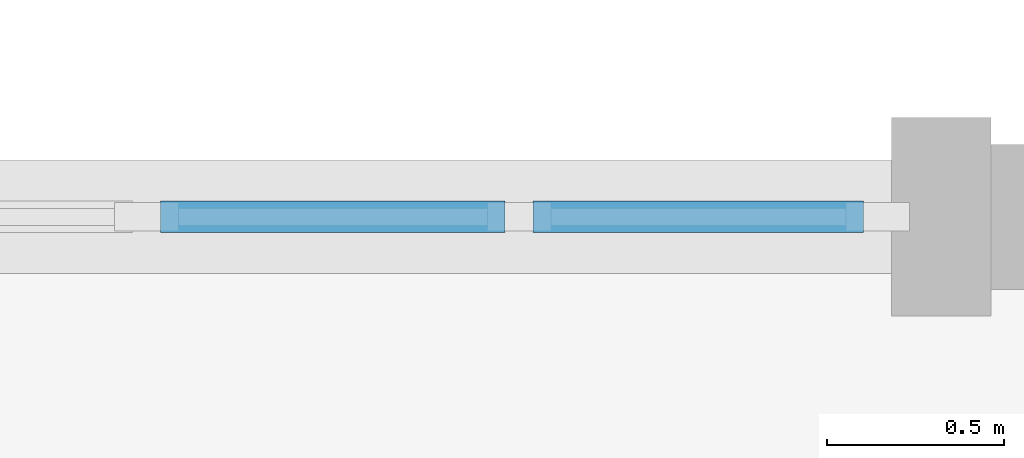
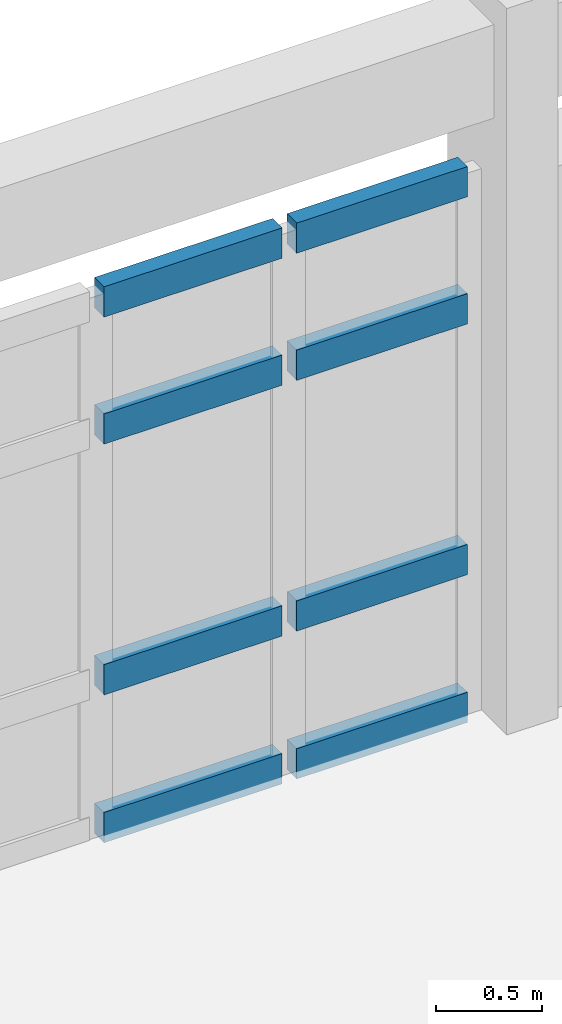
# One storey, part 24 of 55: 8 members, 1 element without a shape of its own.
"""IFC4 building model written with IfcOpenShell, lengths in metres."""

from ifc_helpers import new_model, si_unit, direction, frame, origin, origin_2d, place, context, subcontext, project, spatial, rectangle, extrude, material, material_profile, profile_set, type_object, element, aggregate, save


model = new_model("IFC4")

# Units and contexts
model_context = context("Model", 3, precision=1e-05, world=origin(), true_north=direction((0.0, 1.0)))
body_context = subcontext(model_context, "Body", "Model", "MODEL_VIEW")
ifc_project = project(units=[si_unit("LENGTHUNIT", "METRE"), si_unit("AREAUNIT", "SQUARE_METRE"), si_unit("VOLUMEUNIT", "CUBIC_METRE"), si_unit("PLANEANGLEUNIT", "RADIAN"), si_unit("MASSUNIT", "GRAM", prefix="KILO")], contexts=[model_context])

# Site, building, storey
site_placement = place(None, origin())
site = spatial("IfcSite", under=ifc_project, at=site_placement, CompositionType="ELEMENT")
building_placement = place(site_placement, origin())
building = spatial("IfcBuilding", under=site, at=building_placement, Name="Steenspoor Specialist Clinic", CompositionType="ELEMENT")
storey_placement = place(building_placement, frame((0.0, 0.0, 13.199951171875)))
storey = spatial("IfcBuildingStorey", under=building, at=storey_placement, Name="L03", CompositionType="ELEMENT", Elevation=13.199951171875)

# Curtain wall, members
ifc_material_1 = material(Name="Thermally broken aluminium and low-emissivity glass", Category="aluminium")
curtain_wall_type = type_object("IfcCurtainWallType", Name="CW-L00-360X415", PredefinedType="USERDEFINED", material=ifc_material_1)
curtain_wall_placement = place(storey_placement, origin())
curtain_wall = element("IfcCurtainWall", 1, at=curtain_wall_placement, inside=storey, type_object=curtain_wall_type, Name="Unitised Curtain Wall CW-V6-L03-199", ObjectType="UNITISED GLAZING", PredefinedType="USERDEFINED")
ifc_material_2 = material(Name="Thermally broken aluminium 6063-T6", Category="aluminium")
ifc_material_profile = material_profile(ifc_material_2, rectangle(XDim=0.090087890625, YDim=0.175048828125, at=origin_2d()), Name="CWT-90X175")
ifc_profile_set = profile_set([ifc_material_profile], Name="Thermally broken aluminium 6063-T6")
member_type = type_object("IfcMemberType", Name="CW-TRAN-90X175", PredefinedType="USERDEFINED", material=ifc_profile_set)
member_1_placement = place(storey_placement, frame((133.793212890625, 108.35009765625, 0.045166015625), z_axis=(1.0, 0.0, 0.0), x_axis=(0.0, 1.0, 0.0)))
member_1 = element("IfcMember", 2, at=member_1_placement, type_object=member_type, Name="CW-07 transom 2.1", ObjectType="TRANSOM", PredefinedType="USERDEFINED", context=body_context, shape_type="SweptSolid", body=[
    extrude(rectangle(XDim=0.090087890625, YDim=0.175048828125, at=origin_2d()), origin(), (0.0, 0.0, 1.0), 0.973388671875),
])
member_2_placement = place(storey_placement, frame((133.793212890625, 108.35009765625, 0.900146484375), z_axis=(1.0, 0.0, 0.0), x_axis=(0.0, 1.0, 0.0)))
member_2 = element("IfcMember", 3, at=member_2_placement, type_object=member_type, Name="CW-07 transom 2.2", ObjectType="TRANSOM", PredefinedType="USERDEFINED", context=body_context, shape_type="SweptSolid", body=[
    extrude(rectangle(XDim=0.090087890625, YDim=0.175048828125, at=origin_2d()), origin(), (0.0, 0.0, 1.0), 0.973388671875),
])
member_3_placement = place(storey_placement, frame((133.793212890625, 108.35009765625, 2.35009765625), z_axis=(1.0, 0.0, 0.0), x_axis=(0.0, 1.0, 0.0)))
member_3 = element("IfcMember", 4, at=member_3_placement, type_object=member_type, Name="CW-07 transom 2.3", ObjectType="TRANSOM", PredefinedType="USERDEFINED", context=body_context, shape_type="SweptSolid", body=[
    extrude(rectangle(XDim=0.090087890625, YDim=0.175048828125, at=origin_2d()), origin(), (0.0, 0.0, 1.0), 0.973388671875),
])
member_4_placement = place(storey_placement, frame((133.793212890625, 108.35009765625, 3.0849609375), z_axis=(1.0, 0.0, 0.0), x_axis=(0.0, 1.0, 0.0)))
member_4 = element("IfcMember", 5, at=member_4_placement, type_object=member_type, Name="CW-07 transom 2.4", ObjectType="TRANSOM", PredefinedType="USERDEFINED", context=body_context, shape_type="SweptSolid", body=[
    extrude(rectangle(XDim=0.090087890625, YDim=0.175048828125, at=origin_2d()), origin(), (0.0, 0.0, 1.0), 0.973388671875),
])
member_5_placement = place(storey_placement, frame((134.8466796875, 108.35009765625, 0.045166015625), z_axis=(1.0, 0.0, 0.0), x_axis=(0.0, 1.0, 0.0)))
member_5 = element("IfcMember", 6, at=member_5_placement, type_object=member_type, Name="CW-07 transom 3.1", ObjectType="TRANSOM", PredefinedType="USERDEFINED", context=body_context, shape_type="SweptSolid", body=[
    extrude(rectangle(XDim=0.090087890625, YDim=0.175048828125, at=origin_2d()), origin(), (0.0, 0.0, 1.0), 0.933349609375),
])
member_6_placement = place(storey_placement, frame((134.8466796875, 108.35009765625, 0.900146484375), z_axis=(1.0, 0.0, 0.0), x_axis=(0.0, 1.0, 0.0)))
member_6 = element("IfcMember", 7, at=member_6_placement, type_object=member_type, Name="CW-07 transom 3.2", ObjectType="TRANSOM", PredefinedType="USERDEFINED", context=body_context, shape_type="SweptSolid", body=[
    extrude(rectangle(XDim=0.090087890625, YDim=0.175048828125, at=origin_2d()), origin(), (0.0, 0.0, 1.0), 0.933349609375),
])
member_7_placement = place(storey_placement, frame((134.8466796875, 108.35009765625, 2.35009765625), z_axis=(1.0, 0.0, 0.0), x_axis=(0.0, 1.0, 0.0)))
member_7 = element("IfcMember", 8, at=member_7_placement, type_object=member_type, Name="CW-07 transom 3.3", ObjectType="TRANSOM", PredefinedType="USERDEFINED", context=body_context, shape_type="SweptSolid", body=[
    extrude(rectangle(XDim=0.090087890625, YDim=0.175048828125, at=origin_2d()), origin(), (0.0, 0.0, 1.0), 0.933349609375),
])
member_8_placement = place(storey_placement, frame((134.8466796875, 108.35009765625, 3.0849609375), z_axis=(1.0, 0.0, 0.0), x_axis=(0.0, 1.0, 0.0)))
member_8 = element("IfcMember", 9, at=member_8_placement, type_object=member_type, Name="CW-07 transom 3.4", ObjectType="TRANSOM", PredefinedType="USERDEFINED", context=body_context, shape_type="SweptSolid", body=[
    extrude(rectangle(XDim=0.090087890625, YDim=0.175048828125, at=origin_2d()), origin(), (0.0, 0.0, 1.0), 0.933349609375),
])
aggregate(curtain_wall, [member_1, member_2, member_3, member_4, member_5, member_6, member_7, member_8])

save(model, "model.ifc")
